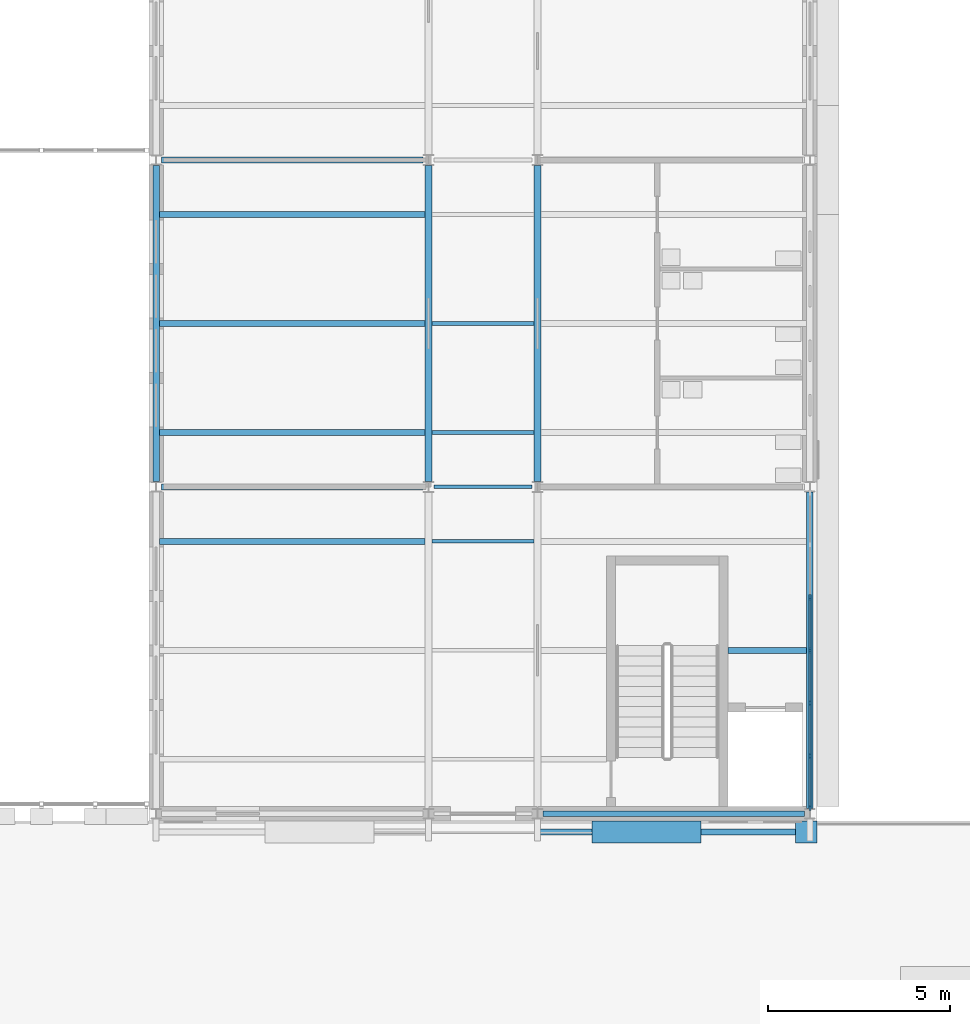
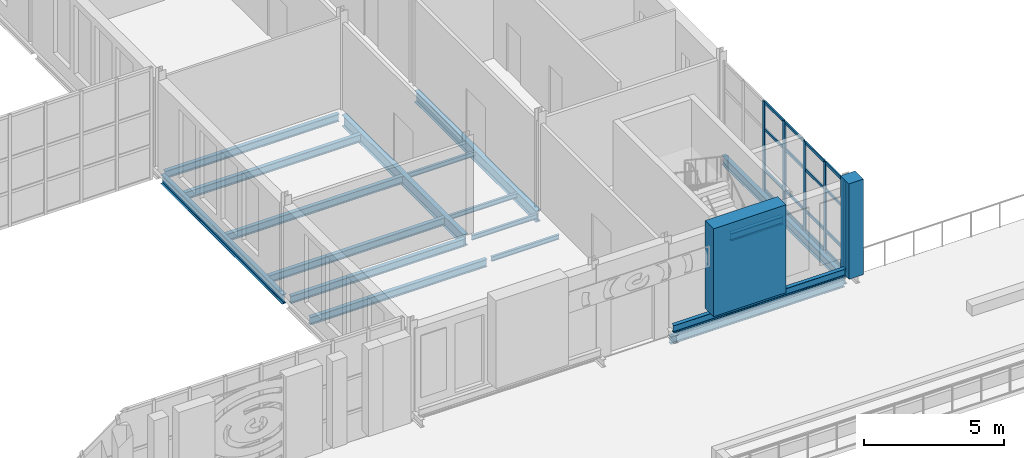
# One storey, part 29 of 134: 23 members, 17 beams, 1 element without a shape of its own.
"""IFC4 building model written with IfcOpenShell, lengths in metres."""

from ifc_helpers import new_model, si_unit, direction, frame, origin, origin_2d, place, context, subcontext, project, spatial, rectangle, i_section, extrude, material, layer, layer_set, material_profile, profile_set, type_object, element, aggregate, save


model = new_model("IFC4")

# Units and contexts
model_context = context("Model", 3, precision=1e-05, world=origin(), true_north=direction((0.0, 1.0)))
body_context = subcontext(model_context, "Body", "Model", "MODEL_VIEW")
ifc_project = project(units=[si_unit("LENGTHUNIT", "METRE"), si_unit("AREAUNIT", "SQUARE_METRE"), si_unit("VOLUMEUNIT", "CUBIC_METRE"), si_unit("PLANEANGLEUNIT", "RADIAN"), si_unit("MASSUNIT", "GRAM", prefix="KILO")], contexts=[model_context])

# Site, building, storey
site_placement = place(None, origin())
site = spatial("IfcSite", under=ifc_project, at=site_placement, CompositionType="ELEMENT")
building_placement = place(site_placement, origin())
building = spatial("IfcBuilding", under=site, at=building_placement, Name="Golden Quay Civic Hall", CompositionType="ELEMENT")
storey_placement = place(building_placement, frame((0.0, 0.0, 5.39990234375)))
storey = spatial("IfcBuildingStorey", under=building, at=storey_placement, Name="L01", CompositionType="ELEMENT", Elevation=5.39990234375)

# Curtain wall, members
ifc_material_1 = material(Name="Glass, laminated double glazed", Category="glass")
ifc_layer = layer(ifc_material_1, 0.199951171875)
ifc_layer_set = layer_set([ifc_layer], Name="Glazed core strip curtain wall")
curtain_wall_type = type_object("IfcCurtainWallType", Name="Glazed core strip curtain wall", PredefinedType="NOTDEFINED", material=ifc_layer_set)
curtain_wall_placement = place(storey_placement, origin())
curtain_wall = element("IfcCurtainWall", 1, at=curtain_wall_placement, inside=storey, type_object=curtain_wall_type, Name="Glazed core strip curtain wall L01 4", PredefinedType="NOTDEFINED")
ifc_material_2 = material(Name="Aluminium, anodised", Category="aluminium")
ifc_material_profile_1 = material_profile(ifc_material_2, rectangle(XDim=0.06005859375, YDim=0.159912109375, at=origin_2d()), Name="Aluminium 60 x 160")
ifc_profile_set_1 = profile_set([ifc_material_profile_1], Name="Aluminium, anodised")
member_type_1 = type_object("IfcMemberType", Name="Aluminium mullion 60 x 160", PredefinedType="MULLION", material=ifc_profile_set_1)
member_1_placement = place(storey_placement, frame((117.0, 5.955078125, 0.0), z_axis=(0.0, 0.0, 1.0), x_axis=(1.0, 0.0, 0.0)))
member_1 = element("IfcMember", 2, at=member_1_placement, type_object=member_type_1, Name="CW2 mullion 3", PredefinedType="MULLION", context=body_context, shape_type="SweptSolid", body=[
    extrude(rectangle(XDim=0.06005859375, YDim=0.159912109375, at=origin_2d()), origin(), (0.0, 0.0, 1.0), 3.900146484375),
])
member_2_placement = place(storey_placement, frame((117.0, 4.5, 0.0), z_axis=(0.0, 0.0, 1.0), x_axis=(1.0, 0.0, 0.0)))
member_2 = element("IfcMember", 3, at=member_2_placement, type_object=member_type_1, Name="CW2 mullion 4", PredefinedType="MULLION", context=body_context, shape_type="SweptSolid", body=[
    extrude(rectangle(XDim=0.06005859375, YDim=0.159912109375, at=origin_2d()), origin(), (0.0, 0.0, 1.0), 3.900146484375),
])
member_3_placement = place(storey_placement, frame((117.0, 3.044921875, 0.0), z_axis=(0.0, 0.0, 1.0), x_axis=(1.0, 0.0, 0.0)))
member_3 = element("IfcMember", 4, at=member_3_placement, type_object=member_type_1, Name="CW2 mullion 5", PredefinedType="MULLION", context=body_context, shape_type="SweptSolid", body=[
    extrude(rectangle(XDim=0.06005859375, YDim=0.159912109375, at=origin_2d()), origin(), (0.0, 0.0, 1.0), 3.900146484375),
])
member_4_placement = place(storey_placement, frame((117.0, 1.590087890625, 0.0), z_axis=(0.0, 0.0, 1.0), x_axis=(1.0, 0.0, 0.0)))
member_4 = element("IfcMember", 5, at=member_4_placement, type_object=member_type_1, Name="CW2 mullion 6", PredefinedType="MULLION", context=body_context, shape_type="SweptSolid", body=[
    extrude(rectangle(XDim=0.06005859375, YDim=0.159912109375, at=origin_2d()), origin(), (0.0, 0.0, 1.0), 3.900146484375),
])
member_5_placement = place(storey_placement, frame((117.0, 0.1650390625, 0.0), z_axis=(0.0, 0.0, 1.0), x_axis=(1.0, 0.0, 0.0)))
member_5 = element("IfcMember", 6, at=member_5_placement, type_object=member_type_1, Name="CW2 mullion 7", PredefinedType="MULLION", context=body_context, shape_type="SweptSolid", body=[
    extrude(rectangle(XDim=0.06005859375, YDim=0.159912109375, at=origin_2d()), origin(), (0.0, 0.0, 1.0), 3.900146484375),
])
ifc_material_3 = material(Name="Aluminium, anodised", Category="aluminium")
ifc_material_profile_2 = material_profile(ifc_material_3, rectangle(XDim=0.06005859375, YDim=0.1201171875, at=origin_2d()), Name="Aluminium 60 x 120")
ifc_profile_set_2 = profile_set([ifc_material_profile_2], Name="Aluminium, anodised")
member_type_2 = type_object("IfcMemberType", Name="Aluminium transom 60 x 120", PredefinedType="USERDEFINED", material=ifc_profile_set_2)
member_6_placement = place(storey_placement, frame((117.0, 5.925048828125, 0.030029296875), z_axis=(0.0, -1.0, 0.0), x_axis=(1.0, 0.0, 0.0)))
member_6 = element("IfcMember", 7, at=member_6_placement, type_object=member_type_2, Name="CW2 transom 3.1", ObjectType="TRANSOM", PredefinedType="USERDEFINED", context=body_context, shape_type="SweptSolid", body=[
    extrude(rectangle(XDim=0.06005859375, YDim=0.1201171875, at=origin_2d()), origin(), (0.0, 0.0, 1.0), 1.39501953125),
])
member_7_placement = place(storey_placement, frame((117.0, 5.925048828125, 0.900146484375), z_axis=(0.0, -1.0, 0.0), x_axis=(1.0, 0.0, 0.0)))
member_7 = element("IfcMember", 8, at=member_7_placement, type_object=member_type_2, Name="CW2 transom 3.2", ObjectType="TRANSOM", PredefinedType="USERDEFINED", context=body_context, shape_type="SweptSolid", body=[
    extrude(rectangle(XDim=0.06005859375, YDim=0.1201171875, at=origin_2d()), origin(), (0.0, 0.0, 1.0), 1.39501953125),
])
member_8_placement = place(storey_placement, frame((117.0, 5.925048828125, 2.7001953125), z_axis=(0.0, -1.0, 0.0), x_axis=(1.0, 0.0, 0.0)))
member_8 = element("IfcMember", 9, at=member_8_placement, type_object=member_type_2, Name="CW2 transom 3.3", ObjectType="TRANSOM", PredefinedType="USERDEFINED", context=body_context, shape_type="SweptSolid", body=[
    extrude(rectangle(XDim=0.06005859375, YDim=0.1201171875, at=origin_2d()), origin(), (0.0, 0.0, 1.0), 1.39501953125),
])
member_9_placement = place(storey_placement, frame((117.0, 5.925048828125, 3.8701171875), z_axis=(0.0, -1.0, 0.0), x_axis=(1.0, 0.0, 0.0)))
member_9 = element("IfcMember", 10, at=member_9_placement, type_object=member_type_2, Name="CW2 transom 3.4", ObjectType="TRANSOM", PredefinedType="USERDEFINED", context=body_context, shape_type="SweptSolid", body=[
    extrude(rectangle(XDim=0.06005859375, YDim=0.1201171875, at=origin_2d()), origin(), (0.0, 0.0, 1.0), 1.39501953125),
])
member_10_placement = place(storey_placement, frame((117.0, 4.469970703125, 0.030029296875), z_axis=(0.0, -1.0, 0.0), x_axis=(1.0, 0.0, 0.0)))
member_10 = element("IfcMember", 11, at=member_10_placement, type_object=member_type_2, Name="CW2 transom 4.1", ObjectType="TRANSOM", PredefinedType="USERDEFINED", context=body_context, shape_type="SweptSolid", body=[
    extrude(rectangle(XDim=0.06005859375, YDim=0.1201171875, at=origin_2d()), origin(), (0.0, 0.0, 1.0), 1.39501953125),
])
member_11_placement = place(storey_placement, frame((117.0, 4.469970703125, 0.900146484375), z_axis=(0.0, -1.0, 0.0), x_axis=(1.0, 0.0, 0.0)))
member_11 = element("IfcMember", 12, at=member_11_placement, type_object=member_type_2, Name="CW2 transom 4.2", ObjectType="TRANSOM", PredefinedType="USERDEFINED", context=body_context, shape_type="SweptSolid", body=[
    extrude(rectangle(XDim=0.06005859375, YDim=0.1201171875, at=origin_2d()), origin(), (0.0, 0.0, 1.0), 1.39501953125),
])
member_12_placement = place(storey_placement, frame((117.0, 4.469970703125, 2.7001953125), z_axis=(0.0, -1.0, 0.0), x_axis=(1.0, 0.0, 0.0)))
member_12 = element("IfcMember", 13, at=member_12_placement, type_object=member_type_2, Name="CW2 transom 4.3", ObjectType="TRANSOM", PredefinedType="USERDEFINED", context=body_context, shape_type="SweptSolid", body=[
    extrude(rectangle(XDim=0.06005859375, YDim=0.1201171875, at=origin_2d()), origin(), (0.0, 0.0, 1.0), 1.39501953125),
])
member_13_placement = place(storey_placement, frame((117.0, 4.469970703125, 3.8701171875), z_axis=(0.0, -1.0, 0.0), x_axis=(1.0, 0.0, 0.0)))
member_13 = element("IfcMember", 14, at=member_13_placement, type_object=member_type_2, Name="CW2 transom 4.4", ObjectType="TRANSOM", PredefinedType="USERDEFINED", context=body_context, shape_type="SweptSolid", body=[
    extrude(rectangle(XDim=0.06005859375, YDim=0.1201171875, at=origin_2d()), origin(), (0.0, 0.0, 1.0), 1.39501953125),
])
member_14_placement = place(storey_placement, frame((117.0, 3.014892578125, 0.030029296875), z_axis=(0.0, -1.0, 0.0), x_axis=(1.0, 0.0, 0.0)))
member_14 = element("IfcMember", 15, at=member_14_placement, type_object=member_type_2, Name="CW2 transom 5.1", ObjectType="TRANSOM", PredefinedType="USERDEFINED", context=body_context, shape_type="SweptSolid", body=[
    extrude(rectangle(XDim=0.06005859375, YDim=0.1201171875, at=origin_2d()), origin(), (0.0, 0.0, 1.0), 1.394775390625),
])
member_15_placement = place(storey_placement, frame((117.0, 3.014892578125, 0.900146484375), z_axis=(0.0, -1.0, 0.0), x_axis=(1.0, 0.0, 0.0)))
member_15 = element("IfcMember", 16, at=member_15_placement, type_object=member_type_2, Name="CW2 transom 5.2", ObjectType="TRANSOM", PredefinedType="USERDEFINED", context=body_context, shape_type="SweptSolid", body=[
    extrude(rectangle(XDim=0.06005859375, YDim=0.1201171875, at=origin_2d()), origin(), (0.0, 0.0, 1.0), 1.394775390625),
])
member_16_placement = place(storey_placement, frame((117.0, 3.014892578125, 2.7001953125), z_axis=(0.0, -1.0, 0.0), x_axis=(1.0, 0.0, 0.0)))
member_16 = element("IfcMember", 17, at=member_16_placement, type_object=member_type_2, Name="CW2 transom 5.3", ObjectType="TRANSOM", PredefinedType="USERDEFINED", context=body_context, shape_type="SweptSolid", body=[
    extrude(rectangle(XDim=0.06005859375, YDim=0.1201171875, at=origin_2d()), origin(), (0.0, 0.0, 1.0), 1.394775390625),
])
member_17_placement = place(storey_placement, frame((117.0, 3.014892578125, 3.8701171875), z_axis=(0.0, -1.0, 0.0), x_axis=(1.0, 0.0, 0.0)))
member_17 = element("IfcMember", 18, at=member_17_placement, type_object=member_type_2, Name="CW2 transom 5.4", ObjectType="TRANSOM", PredefinedType="USERDEFINED", context=body_context, shape_type="SweptSolid", body=[
    extrude(rectangle(XDim=0.06005859375, YDim=0.1201171875, at=origin_2d()), origin(), (0.0, 0.0, 1.0), 1.394775390625),
])
member_18_placement = place(storey_placement, frame((117.0, 1.56005859375, 0.030029296875), z_axis=(0.0, -1.0, 0.0), x_axis=(1.0, 0.0, 0.0)))
member_18 = element("IfcMember", 19, at=member_18_placement, type_object=member_type_2, Name="CW2 transom 6.1", ObjectType="TRANSOM", PredefinedType="USERDEFINED", context=body_context, shape_type="SweptSolid", body=[
    extrude(rectangle(XDim=0.06005859375, YDim=0.1201171875, at=origin_2d()), origin(), (0.0, 0.0, 1.0), 1.364990234375),
])
member_19_placement = place(storey_placement, frame((117.0, 1.56005859375, 0.900146484375), z_axis=(0.0, -1.0, 0.0), x_axis=(1.0, 0.0, 0.0)))
member_19 = element("IfcMember", 20, at=member_19_placement, type_object=member_type_2, Name="CW2 transom 6.2", ObjectType="TRANSOM", PredefinedType="USERDEFINED", context=body_context, shape_type="SweptSolid", body=[
    extrude(rectangle(XDim=0.06005859375, YDim=0.1201171875, at=origin_2d()), origin(), (0.0, 0.0, 1.0), 1.364990234375),
])
member_20_placement = place(storey_placement, frame((117.0, 1.56005859375, 2.7001953125), z_axis=(0.0, -1.0, 0.0), x_axis=(1.0, 0.0, 0.0)))
member_20 = element("IfcMember", 21, at=member_20_placement, type_object=member_type_2, Name="CW2 transom 6.3", ObjectType="TRANSOM", PredefinedType="USERDEFINED", context=body_context, shape_type="SweptSolid", body=[
    extrude(rectangle(XDim=0.06005859375, YDim=0.1201171875, at=origin_2d()), origin(), (0.0, 0.0, 1.0), 1.364990234375),
])
member_21_placement = place(storey_placement, frame((117.0, 1.56005859375, 3.8701171875), z_axis=(0.0, -1.0, 0.0), x_axis=(1.0, 0.0, 0.0)))
member_21 = element("IfcMember", 22, at=member_21_placement, type_object=member_type_2, Name="CW2 transom 6.4", ObjectType="TRANSOM", PredefinedType="USERDEFINED", context=body_context, shape_type="SweptSolid", body=[
    extrude(rectangle(XDim=0.06005859375, YDim=0.1201171875, at=origin_2d()), origin(), (0.0, 0.0, 1.0), 1.364990234375),
])
aggregate(curtain_wall, [member_1, member_2, member_3, member_4, member_5, member_6, member_7, member_8, member_9, member_10, member_11, member_12, member_13, member_14, member_15, member_16, member_17, member_18, member_19, member_20, member_21])

# Members
ifc_material_4 = material(Name="Concrete C40/50", Category="concrete")
ifc_material_profile_3 = material_profile(ifc_material_4, rectangle(XDim=3.0, YDim=0.60009765625, at=origin_2d()), Name="RC 3000x600")
ifc_profile_set_3 = profile_set([ifc_material_profile_3], Name="Concrete C40/50")
member_type_3 = type_object("IfcMemberType", Name="Precast concrete facade pier 3000 x 600", PredefinedType="POST", material=ifc_profile_set_3)
member_22_placement = place(storey_placement, frame((112.5, -0.5, 0.66015625), z_axis=(0.0, 0.0, 1.0), x_axis=(1.0, 0.0, 0.0)))
element("IfcMember", 23, at=member_22_placement, inside=storey, type_object=member_type_3, Name="Precast concrete facade pier 3000 x 600 L01 33", PredefinedType="POST", context=body_context, shape_type="SweptSolid", body=[
    extrude(rectangle(XDim=3.0, YDim=0.60009765625, at=origin_2d()), origin(), (0.0, 0.0, 1.0), 3.83984375),
])
ifc_material_5 = material(Name="Concrete C40/50", Category="concrete")
ifc_material_profile_4 = material_profile(ifc_material_5, rectangle(XDim=0.60009765625, YDim=0.60009765625, at=origin_2d()), Name="RC 600x600")
ifc_profile_set_4 = profile_set([ifc_material_profile_4], Name="Concrete C40/50")
member_type_4 = type_object("IfcMemberType", Name="Precast concrete facade post 600 x 600", PredefinedType="POST", material=ifc_profile_set_4)
member_23_placement = place(storey_placement, frame((116.89990234375, -0.5, 0.330078125), z_axis=(0.0, 0.0, 1.0), x_axis=(1.0, 0.0, 0.0)))
element("IfcMember", 24, at=member_23_placement, inside=storey, type_object=member_type_4, Name="Precast concrete facade post 600 x 600 L01 13", PredefinedType="POST", context=body_context, shape_type="SweptSolid", body=[
    extrude(rectangle(XDim=0.60009765625, YDim=0.60009765625, at=origin_2d()), origin(), (0.0, 0.0, 1.0), 4.169921875),
])

# Beams
ifc_material_6 = material(Name="Steel S355", Category="steel")
ifc_material_profile_5 = material_profile(ifc_material_6, i_section(OverallWidth=0.10009765625, OverallDepth=0.199951171875, WebThickness=0.005615234375, FlangeThickness=0.008544921875, FilletRadius=0.011962890625, at=origin_2d()), Name="IPE 200")
ifc_profile_set_5 = profile_set([ifc_material_profile_5], Name="Steel S355")
beam_type_1 = type_object("IfcBeamType", Name="Steel beam IPE 200", PredefinedType="BEAM", material=ifc_profile_set_5)
beam_1_placement = place(storey_placement, frame((106.64990234375, 9.0, -0.2998046875), z_axis=(1.0, 0.0, 0.0), x_axis=(0.0, 1.0, 0.0)))
element("IfcBeam", 25, at=beam_1_placement, inside=storey, type_object=beam_type_1, Name="Beam S9-106.5", PredefinedType="BEAM", context=body_context, shape_type="SweptSolid", body=[
    extrude(i_section(OverallWidth=0.10009765625, OverallDepth=0.199951171875, WebThickness=0.005615234375, FlangeThickness=0.008544921875, FilletRadius=0.011962890625, at=origin_2d()), origin(), (0.0, 0.0, 1.0), 2.7001953125),
])
ifc_material_7 = material(Name="Steel S355", Category="steel")
ifc_material_profile_6 = material_profile(ifc_material_7, i_section(OverallWidth=0.159912109375, OverallDepth=0.330078125, WebThickness=0.007568359375, FlangeThickness=0.011474609375, FilletRadius=0.01806640625, at=origin_2d()), Name="IPE 330")
ifc_profile_set_6 = profile_set([ifc_material_profile_6], Name="Steel S355")
beam_type_2 = type_object("IfcBeamType", Name="Steel beam IPE 330", PredefinedType="BEAM", material=ifc_profile_set_6)
for number, where, z_axis, x_axis, name in (
    (26, (109.64990234375, 0.0, -0.364990234375), (1.0, 0.0, 0.0), (0.0, 1.0, 0.0), "Beam S0-109.5"),
    (27, (99.14990234375, 9.0, -0.364990234375), (1.0, 0.0, 0.0), (0.0, 1.0, 0.0), "Beam S9-99"),
    (28, (99.14990234375, 18.0, -0.364990234375), (1.0, 0.0, 0.0), (0.0, 1.0, 0.0), "Beam S18-99"),
):
    element("IfcBeam", number, at=place(storey_placement, frame(where, z_axis=z_axis, x_axis=x_axis)), inside=storey, type_object=beam_type_2, Name=name, PredefinedType="BEAM", context=body_context, shape_type="SweptSolid", body=[
        extrude(i_section(OverallWidth=0.159912109375, OverallDepth=0.330078125, WebThickness=0.007568359375, FlangeThickness=0.011474609375, FilletRadius=0.01806640625, at=origin_2d()), origin(), (0.0, 0.0, 1.0), 7.2001953125),
    ])
ifc_material_8 = material(Name="Steel S355", Category="steel")
ifc_material_profile_7 = material_profile(ifc_material_8, i_section(OverallWidth=0.179931640625, OverallDepth=0.39990234375, WebThickness=0.008544921875, FlangeThickness=0.013427734375, FilletRadius=0.02099609375, at=origin_2d()), Name="IPE 400")
ifc_profile_set_7 = profile_set([ifc_material_profile_7], Name="Steel S355")
beam_type_3 = type_object("IfcBeamType", Name="Steel beam IPE 400", PredefinedType="BEAM", material=ifc_profile_set_7)
for number, where, z_axis, x_axis, name in (
    (29, (99.0, 9.14501953125, -0.39990234375), (0.0, 1.0, 0.0), (-1.0, 0.0, 0.0), "Beam L99-9"),
    (30, (117.0, 0.14501953125, -0.39990234375), (0.0, 1.0, 0.0), (-1.0, 0.0, 0.0), "Beam L117-0"),
):
    element("IfcBeam", number, at=place(storey_placement, frame(where, z_axis=z_axis, x_axis=x_axis)), inside=storey, type_object=beam_type_3, Name=name, PredefinedType="BEAM", context=body_context, shape_type="SweptSolid", body=[
        extrude(i_section(OverallWidth=0.179931640625, OverallDepth=0.39990234375, WebThickness=0.008544921875, FlangeThickness=0.013427734375, FilletRadius=0.02099609375, at=origin_2d()), origin(), (0.0, 0.0, 1.0), 8.7099609375),
    ])
ifc_material_9 = material(Name="Steel S355", Category="steel")
ifc_material_profile_8 = material_profile(ifc_material_9, i_section(OverallWidth=0.199951171875, OverallDepth=0.5, WebThickness=0.01025390625, FlangeThickness=0.01611328125, FilletRadius=0.02099609375, at=origin_2d()), Name="IPE 500")
ifc_profile_set_8 = profile_set([ifc_material_profile_8], Name="Steel S355")
beam_type_4 = type_object("IfcBeamType", Name="Steel beam IPE 500", PredefinedType="BEAM", material=ifc_profile_set_8)
for number, where, z_axis, x_axis, name in (
    (31, (106.5, 9.14990234375, -0.449951171875), (0.0, 1.0, 0.0), (-1.0, 0.0, 0.0), "Beam L106.5-9"),
    (32, (109.5, 9.14990234375, -0.449951171875), (0.0, 1.0, 0.0), (-1.0, 0.0, 0.0), "Beam L109.5-9"),
):
    element("IfcBeam", number, at=place(storey_placement, frame(where, z_axis=z_axis, x_axis=x_axis)), inside=storey, type_object=beam_type_4, Name=name, PredefinedType="BEAM", context=body_context, shape_type="SweptSolid", body=[
        extrude(i_section(OverallWidth=0.199951171875, OverallDepth=0.5, WebThickness=0.01025390625, FlangeThickness=0.01611328125, FilletRadius=0.02099609375, at=origin_2d()), origin(), (0.0, 0.0, 1.0), 8.7001953125),
    ])
ifc_material_10 = material(Name="Steel S355", Category="steel")
ifc_material_profile_9 = material_profile(ifc_material_10, i_section(OverallWidth=0.10009765625, OverallDepth=0.199951171875, WebThickness=0.005615234375, FlangeThickness=0.008544921875, FilletRadius=0.011962890625, at=origin_2d()), Name="IPE 200")
ifc_profile_set_9 = profile_set([ifc_material_profile_9], Name="Steel S355")
beam_type_5 = type_object("IfcBeamType", Name="Steel joist IPE 200", PredefinedType="JOIST", material=ifc_profile_set_9)
for number, where, z_axis, x_axis, name in (
    (33, (106.60009765625, 7.5, -0.2998046875), (1.0, 0.0, 0.0), (0.0, 1.0, 0.0), "Joist J7.5-106.5"),
    (34, (106.60009765625, 10.5, -0.2998046875), (1.0, 0.0, 0.0), (0.0, 1.0, 0.0), "Joist J10.5-106.5"),
    (35, (106.60009765625, 13.5, -0.2998046875), (1.0, 0.0, 0.0), (0.0, 1.0, 0.0), "Joist J13.5-106.5"),
):
    element("IfcBeam", number, at=place(storey_placement, frame(where, z_axis=z_axis, x_axis=x_axis)), inside=storey, type_object=beam_type_5, Name=name, PredefinedType="JOIST", context=body_context, shape_type="SweptSolid", body=[
        extrude(i_section(OverallWidth=0.10009765625, OverallDepth=0.199951171875, WebThickness=0.005615234375, FlangeThickness=0.008544921875, FilletRadius=0.011962890625, at=origin_2d()), origin(), (0.0, 0.0, 1.0), 2.7998046875),
    ])
ifc_material_11 = material(Name="Steel S355", Category="steel")
ifc_material_profile_10 = material_profile(ifc_material_11, i_section(OverallWidth=0.159912109375, OverallDepth=0.330078125, WebThickness=0.007568359375, FlangeThickness=0.011474609375, FilletRadius=0.01806640625, at=origin_2d()), Name="IPE 330")
ifc_profile_set_10 = profile_set([ifc_material_profile_10], Name="Steel S355")
beam_type_6 = type_object("IfcBeamType", Name="Steel joist IPE 330", PredefinedType="JOIST", material=ifc_profile_set_10)
beam_2_placement = place(storey_placement, frame((114.75, 4.5, -0.364990234375), z_axis=(1.0, 0.0, 0.0), x_axis=(0.0, 1.0, 0.0)))
element("IfcBeam", 36, at=beam_2_placement, inside=storey, type_object=beam_type_6, Name="Joist J4.5-109.5-1", PredefinedType="JOIST", context=body_context, shape_type="SweptSolid", body=[
    extrude(i_section(OverallWidth=0.159912109375, OverallDepth=0.330078125, WebThickness=0.007568359375, FlangeThickness=0.011474609375, FilletRadius=0.01806640625, at=origin_2d()), origin(), (0.0, 0.0, 1.0), 2.159912109375),
])
for number, where, z_axis, x_axis, name in (
    (37, (99.090087890625, 7.5, -0.364990234375), (1.0, 0.0, 0.0), (0.0, 1.0, 0.0), "Joist J7.5-99"),
    (38, (99.090087890625, 10.5, -0.364990234375), (1.0, 0.0, 0.0), (0.0, 1.0, 0.0), "Joist J10.5-99"),
    (39, (99.090087890625, 13.5, -0.364990234375), (1.0, 0.0, 0.0), (0.0, 1.0, 0.0), "Joist J13.5-99"),
    (40, (99.090087890625, 16.5, -0.364990234375), (1.0, 0.0, 0.0), (0.0, 1.0, 0.0), "Joist J16.5-99"),
):
    element("IfcBeam", number, at=place(storey_placement, frame(where, z_axis=z_axis, x_axis=x_axis)), inside=storey, type_object=beam_type_6, Name=name, PredefinedType="JOIST", context=body_context, shape_type="SweptSolid", body=[
        extrude(i_section(OverallWidth=0.159912109375, OverallDepth=0.330078125, WebThickness=0.007568359375, FlangeThickness=0.011474609375, FilletRadius=0.01806640625, at=origin_2d()), origin(), (0.0, 0.0, 1.0), 7.309814453125),
    ])
ifc_material_12 = material(Name="Steel S355", Category="steel")
ifc_material_profile_11 = material_profile(ifc_material_12, i_section(OverallWidth=0.159912109375, OverallDepth=0.330078125, WebThickness=0.007568359375, FlangeThickness=0.011474609375, FilletRadius=0.01806640625, at=origin_2d()), Name="IPE 330")
ifc_profile_set_11 = profile_set([ifc_material_profile_11], Name="Steel S355")
beam_type_7 = type_object("IfcBeamType", Name="Steel pier plinth beam IPE 330", PredefinedType="BEAM", material=ifc_profile_set_11)
beam_3_placement = place(storey_placement, frame((109.5, -0.5, 0.4951171875), z_axis=(1.0, 0.0, 0.0), x_axis=(0.0, 1.0, 0.0)))
element("IfcBeam", 41, at=beam_3_placement, inside=storey, type_object=beam_type_7, Name="Steel pier plinth beam IPE 330 L01 4", PredefinedType="BEAM", context=body_context, shape_type="SweptSolid", body=[
    extrude(i_section(OverallWidth=0.159912109375, OverallDepth=0.330078125, WebThickness=0.007568359375, FlangeThickness=0.011474609375, FilletRadius=0.01806640625, at=origin_2d()), origin(), (0.0, 0.0, 1.0), 7.199951171875),
])

save(model, "model.ifc")
